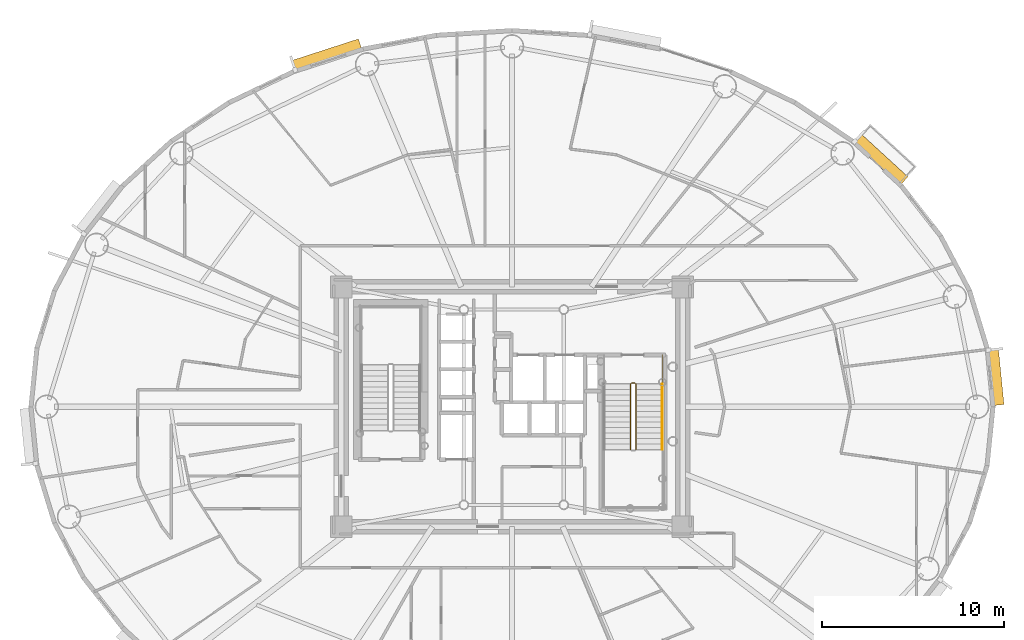
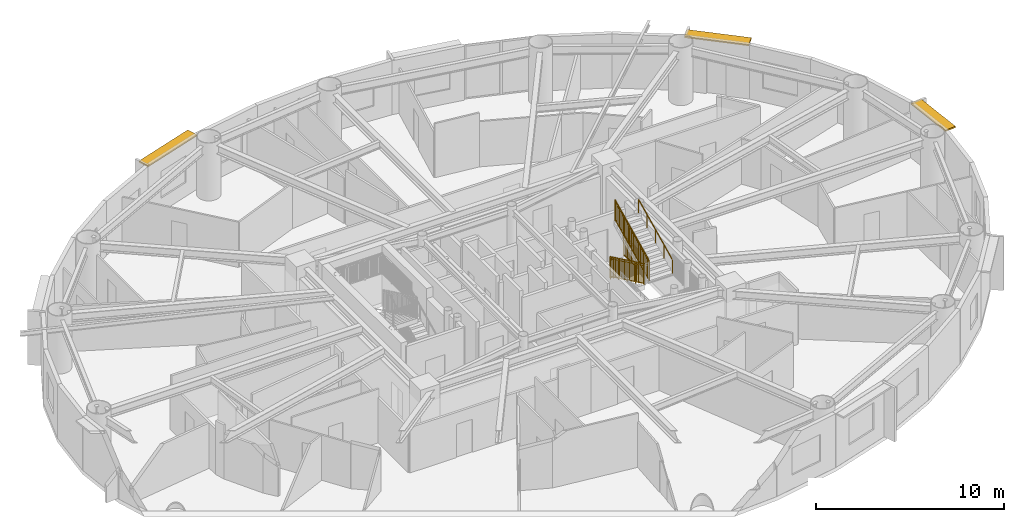
# One storey, part 17 of 18: 5 railings, 3 shading devices.
"""IFC4 building model written with IfcOpenShell, lengths in metres."""

from ifc_helpers import new_model, si_unit, direction, frame, origin, origin_2d, place, context, subcontext, project, spatial, rectangle, extrude, source, transform, mapped, material, layer, layer_set, type_object, element, save


model = new_model("IFC4")

# Units and contexts
model_context = context("Model", 3, precision=1e-05, world=origin(), true_north=direction((0.0, 1.0)))
body_context = subcontext(model_context, "Body", "Model", "MODEL_VIEW")
ifc_project = project(units=[si_unit("LENGTHUNIT", "METRE"), si_unit("AREAUNIT", "SQUARE_METRE"), si_unit("VOLUMEUNIT", "CUBIC_METRE"), si_unit("PLANEANGLEUNIT", "RADIAN"), si_unit("MASSUNIT", "GRAM", prefix="KILO")], contexts=[model_context])

# Site, building, storey
site_placement = place(None, origin())
site = spatial("IfcSite", under=ifc_project, at=site_placement, CompositionType="ELEMENT")
building_placement = place(site_placement, origin())
building = spatial("IfcBuilding", under=site, at=building_placement, Name="Linh Dai School and Residence Tower", CompositionType="ELEMENT")
storey_placement = place(building_placement, frame((0.0, 0.0, 159.89990234375)))
storey = spatial("IfcBuildingStorey", under=building, at=storey_placement, Name="L38", CompositionType="ELEMENT", Elevation=159.89990234375)

# Shading devices
ifc_material_1 = material(Name="Terracotta Ceramic Sunshade", Category="masonry")
ifc_layer = layer(ifc_material_1, 0.10009765625)
ifc_layer_set = layer_set([ifc_layer], Name="Terracotta Ceramic Sunshade")
shading_device_type = type_object("IfcShadingDeviceType", Name="SHD-TC-650", PredefinedType="USERDEFINED", material=ifc_layer_set)
shared_shape_1 = source(origin(), body_context, "Body", "SweptSolid", [
    extrude(rectangle(XDim=3.1201171875, YDim=0.64990234375, at=origin_2d()), origin(), (0.0, 0.0, 1.0), 0.10009765625),
])
shading_device_1_placement = place(storey_placement, frame((62.59619140625, 28.645263671875, 3.380126953125), z_axis=(0.0, 0.0, 1.0), x_axis=(0.100001796141, -0.994987256586, 0.0)))
element("IfcShadingDevice", 1, at=shading_device_1_placement, inside=storey, type_object=shading_device_type, Name="L38 Terracotta Horizontal Sunshade Band 01", ObjectType="SUNSHADE", PredefinedType="USERDEFINED", context=body_context, shape_type="MappedRepresentation", body=[
    mapped(shared_shape_1, transform((0.0, 0.0, 0.0), x_axis=(1.0, 0.0, 0.0), y_axis=(0.0, 1.0, 0.0), z_axis=(0.0, 0.0, 1.0), scale=1.0)),
])
shared_shape_2 = source(origin(), body_context, "Body", "SweptSolid", [
    extrude(rectangle(XDim=3.51171875, YDim=0.64990234375, at=origin_2d()), origin(), (0.0, 0.0, 1.0), 0.10009765625),
])
shading_device_2_placement = place(storey_placement, frame((56.272705078125, 40.604736328125, 3.380126953125), z_axis=(0.0, 0.0, 1.0), x_axis=(0.737085029426, -0.67580001435, 0.0)))
element("IfcShadingDevice", 2, at=shading_device_2_placement, inside=storey, type_object=shading_device_type, Name="L38 Terracotta Horizontal Sunshade Band 05", ObjectType="SUNSHADE", PredefinedType="USERDEFINED", context=body_context, shape_type="MappedRepresentation", body=[
    mapped(shared_shape_2, transform((0.0, 0.0, 0.0), x_axis=(1.0, 0.0, 0.0), y_axis=(0.0, 1.0, 0.0), z_axis=(0.0, 0.0, 1.0), scale=1.0)),
])
shared_shape_3 = source(origin(), body_context, "Body", "SweptSolid", [
    extrude(rectangle(XDim=3.876220703125, YDim=0.64990234375, at=origin_2d()), origin(), (0.0, 0.0, 1.0), 0.10009765625),
])
shading_device_3_placement = place(storey_placement, frame((25.802734375, 46.337646484375, 3.380126953125), z_axis=(0.0, 0.0, 1.0), x_axis=(0.951212761419, 0.308535707031, 0.0)))
element("IfcShadingDevice", 3, at=shading_device_3_placement, inside=storey, type_object=shading_device_type, Name="L38 Terracotta Horizontal Sunshade Band 13", ObjectType="SUNSHADE", PredefinedType="USERDEFINED", context=body_context, shape_type="MappedRepresentation", body=[
    mapped(shared_shape_3, transform((0.0, 0.0, 0.0), x_axis=(1.0, 0.0, 0.0), y_axis=(0.0, 1.0, 0.0), z_axis=(0.0, 0.0, 1.0), scale=1.0)),
])

# Railings
ifc_material_2 = material(Name="Structural Steel S355JR", Category="steel")
railing_type_1 = type_object("IfcRailingType", Name="RL-ST-GUARD-1400", PredefinedType="GUARDRAIL", material=ifc_material_2)
shared_shape_4 = source(origin(), body_context, "Body", "SweptSolid", [
    extrude(rectangle(XDim=0.048095703125, YDim=0.048095703125, at=origin_2d()), frame((0.0, 0.0, 1.3759765625), z_axis=(0.0, 0.901262522062, 0.433273431364), x_axis=(-1.0, 0.0, 0.0)), (0.0, 0.0, 1.0), 3.994384765625),
    extrude(rectangle(XDim=0.048095703125, YDim=0.048095703125, at=origin_2d()), frame((0.0, 0.0, 0.10009765625), z_axis=(0.0, 0.901262522062, 0.433273431364), x_axis=(-1.0, 0.0, 0.0)), (0.0, 0.0, 1.0), 3.994384765625),
    extrude(rectangle(XDim=0.030029296875, YDim=0.030029296875, at=origin_2d()), frame((0.0, 0.0, 1.239990234375), z_axis=(0.0, 0.901262522062, 0.433273431364), x_axis=(-1.0, 0.0, 0.0)), (0.0, 0.0, 1.0), 3.994384765625),
    extrude(rectangle(XDim=0.02001953125, YDim=0.02001953125, at=origin_2d()), frame((0.0, 0.087890625, 0.142333984375)), (0.0, 0.0, 1.0), 1.251708984375),
    extrude(rectangle(XDim=0.02001953125, YDim=0.02001953125, at=origin_2d()), frame((0.0, 0.175537109375, 0.1845703125)), (0.0, 0.0, 1.0), 1.251708984375),
    extrude(rectangle(XDim=0.02001953125, YDim=0.02001953125, at=origin_2d()), frame((0.0, 0.263427734375, 0.226806640625)), (0.0, 0.0, 1.0), 1.251708984375),
    extrude(rectangle(XDim=0.02001953125, YDim=0.02001953125, at=origin_2d()), frame((0.0, 0.351318359375, 0.26904296875)), (0.0, 0.0, 1.0), 1.251708984375),
    extrude(rectangle(XDim=0.02001953125, YDim=0.02001953125, at=origin_2d()), frame((0.0, 0.43896484375, 0.311279296875)), (0.0, 0.0, 1.0), 1.251708984375),
    extrude(rectangle(XDim=0.02001953125, YDim=0.02001953125, at=origin_2d()), frame((0.0, 0.52685546875, 0.353271484375)), (0.0, 0.0, 1.0), 1.251708984375),
    extrude(rectangle(XDim=0.02001953125, YDim=0.02001953125, at=origin_2d()), frame((0.0, 0.61474609375, 0.3955078125)), (0.0, 0.0, 1.0), 1.251708984375),
    extrude(rectangle(XDim=0.02001953125, YDim=0.02001953125, at=origin_2d()), frame((0.0, 0.702392578125, 0.437744140625)), (0.0, 0.0, 1.0), 1.251708984375),
    extrude(rectangle(XDim=0.02001953125, YDim=0.02001953125, at=origin_2d()), frame((0.0, 0.790283203125, 0.47998046875)), (0.0, 0.0, 1.0), 1.251708984375),
    extrude(rectangle(XDim=0.02001953125, YDim=0.02001953125, at=origin_2d()), frame((0.0, 0.9658203125, 0.564453125)), (0.0, 0.0, 1.0), 1.251708984375),
    extrude(rectangle(XDim=0.02001953125, YDim=0.02001953125, at=origin_2d()), frame((0.0, 1.0537109375, 0.606689453125)), (0.0, 0.0, 1.0), 1.251708984375),
    extrude(rectangle(XDim=0.02001953125, YDim=0.02001953125, at=origin_2d()), frame((0.0, 1.1416015625, 0.64892578125)), (0.0, 0.0, 1.0), 1.251708984375),
    extrude(rectangle(XDim=0.02001953125, YDim=0.02001953125, at=origin_2d()), frame((0.0, 1.229248046875, 0.691162109375)), (0.0, 0.0, 1.0), 1.251708984375),
    extrude(rectangle(XDim=0.02001953125, YDim=0.02001953125, at=origin_2d()), frame((0.0, 1.317138671875, 0.7333984375)), (0.0, 0.0, 1.0), 1.251708984375),
    extrude(rectangle(XDim=0.02001953125, YDim=0.02001953125, at=origin_2d()), frame((0.0, 1.405029296875, 0.775390625)), (0.0, 0.0, 1.0), 1.251708984375),
    extrude(rectangle(XDim=0.02001953125, YDim=0.02001953125, at=origin_2d()), frame((0.0, 1.49267578125, 0.817626953125)), (0.0, 0.0, 1.0), 1.251708984375),
    extrude(rectangle(XDim=0.02001953125, YDim=0.02001953125, at=origin_2d()), frame((0.0, 1.58056640625, 0.85986328125)), (0.0, 0.0, 1.0), 1.251708984375),
    extrude(rectangle(XDim=0.02001953125, YDim=0.02001953125, at=origin_2d()), frame((0.0, 1.66845703125, 0.902099609375)), (0.0, 0.0, 1.0), 1.251708984375),
    extrude(rectangle(XDim=0.02001953125, YDim=0.02001953125, at=origin_2d()), frame((0.0, 1.756103515625, 0.9443359375)), (0.0, 0.0, 1.0), 1.251708984375),
    extrude(rectangle(XDim=0.02001953125, YDim=0.02001953125, at=origin_2d()), frame((0.0, 1.843994140625, 0.986572265625)), (0.0, 0.0, 1.0), 1.251708984375),
    extrude(rectangle(XDim=0.02001953125, YDim=0.02001953125, at=origin_2d()), frame((0.0, 1.931640625, 1.02880859375)), (0.0, 0.0, 1.0), 1.251708984375),
    extrude(rectangle(XDim=0.02001953125, YDim=0.02001953125, at=origin_2d()), frame((0.0, 2.01953125, 1.071044921875)), (0.0, 0.0, 1.0), 1.251708984375),
    extrude(rectangle(XDim=0.02001953125, YDim=0.02001953125, at=origin_2d()), frame((0.0, 2.107421875, 1.11328125)), (0.0, 0.0, 1.0), 1.251708984375),
    extrude(rectangle(XDim=0.02001953125, YDim=0.02001953125, at=origin_2d()), frame((0.0, 2.195068359375, 1.155517578125)), (0.0, 0.0, 1.0), 1.251708984375),
    extrude(rectangle(XDim=0.02001953125, YDim=0.02001953125, at=origin_2d()), frame((0.0, 2.282958984375, 1.197509765625)), (0.0, 0.0, 1.0), 1.251708984375),
    extrude(rectangle(XDim=0.02001953125, YDim=0.02001953125, at=origin_2d()), frame((0.0, 2.370849609375, 1.23974609375)), (0.0, 0.0, 1.0), 1.251708984375),
    extrude(rectangle(XDim=0.02001953125, YDim=0.02001953125, at=origin_2d()), frame((0.0, 2.45849609375, 1.281982421875)), (0.0, 0.0, 1.0), 1.251708984375),
    extrude(rectangle(XDim=0.02001953125, YDim=0.02001953125, at=origin_2d()), frame((0.0, 2.54638671875, 1.32421875)), (0.0, 0.0, 1.0), 1.251708984375),
    extrude(rectangle(XDim=0.02001953125, YDim=0.02001953125, at=origin_2d()), frame((0.0, 2.63427734375, 1.366455078125)), (0.0, 0.0, 1.0), 1.251708984375),
    extrude(rectangle(XDim=0.02001953125, YDim=0.02001953125, at=origin_2d()), frame((0.0, 2.809814453125, 1.450927734375)), (0.0, 0.0, 1.0), 1.251708984375),
    extrude(rectangle(XDim=0.02001953125, YDim=0.02001953125, at=origin_2d()), frame((0.0, 2.897705078125, 1.4931640625)), (0.0, 0.0, 1.0), 1.251708984375),
    extrude(rectangle(XDim=0.02001953125, YDim=0.02001953125, at=origin_2d()), frame((0.0, 2.9853515625, 1.535400390625)), (0.0, 0.0, 1.0), 1.251708984375),
    extrude(rectangle(XDim=0.02001953125, YDim=0.02001953125, at=origin_2d()), frame((0.0, 3.0732421875, 1.57763671875)), (0.0, 0.0, 1.0), 1.251708984375),
    extrude(rectangle(XDim=0.02001953125, YDim=0.02001953125, at=origin_2d()), frame((0.0, 3.1611328125, 1.61962890625)), (0.0, 0.0, 1.0), 1.251708984375),
    extrude(rectangle(XDim=0.02001953125, YDim=0.02001953125, at=origin_2d()), frame((0.0, 3.248779296875, 1.661865234375)), (0.0, 0.0, 1.0), 1.251708984375),
    extrude(rectangle(XDim=0.02001953125, YDim=0.02001953125, at=origin_2d()), frame((0.0, 3.336669921875, 1.7041015625)), (0.0, 0.0, 1.0), 1.251708984375),
    extrude(rectangle(XDim=0.02001953125, YDim=0.02001953125, at=origin_2d()), frame((0.0, 3.424560546875, 1.746337890625)), (0.0, 0.0, 1.0), 1.251708984375),
    extrude(rectangle(XDim=0.02001953125, YDim=0.02001953125, at=origin_2d()), frame((0.0, 3.51220703125, 1.78857421875)), (0.0, 0.0, 1.0), 1.251708984375),
    extrude(rectangle(XDim=0.0419921875, YDim=0.0419921875, at=origin_2d()), origin(), (0.0, 0.0, 1.0), 1.3759765625),
    extrude(rectangle(XDim=0.0419921875, YDim=0.0419921875, at=origin_2d()), frame((0.0, 0.89990234375, 0.4326171875)), (0.0, 0.0, 1.0), 1.3759765625),
    extrude(rectangle(XDim=0.0419921875, YDim=0.0419921875, at=origin_2d()), frame((0.0, 1.800048828125, 0.865234375)), (0.0, 0.0, 1.0), 1.3759765625),
    extrude(rectangle(XDim=0.0419921875, YDim=0.0419921875, at=origin_2d()), frame((0.0, 2.7001953125, 1.298095703125)), (0.0, 0.0, 1.0), 1.3759765625),
    extrude(rectangle(XDim=0.0419921875, YDim=0.0419921875, at=origin_2d()), frame((0.0, 3.60009765625, 1.730712890625)), (0.0, 0.0, 1.0), 1.3759765625),
])
railing_1_placement = place(storey_placement, frame((42.820068359375, 24.64990234375, 2.019287109375)))
element("IfcRailing", 4, at=railing_1_placement, inside=storey, type_object=railing_type_1, Name="L38 ST2 stair guard 6", PredefinedType="GUARDRAIL", context=body_context, shape_type="MappedRepresentation", body=[
    mapped(shared_shape_4, transform((0.0, 0.0, 0.0), x_axis=(1.0, 0.0, 0.0), y_axis=(0.0, 1.0, 0.0), z_axis=(0.0, 0.0, 1.0), scale=1.0)),
])
shared_shape_5 = source(origin(), body_context, "Body", "SweptSolid", [
    extrude(rectangle(XDim=0.048095703125, YDim=0.048095703125, at=origin_2d()), frame((0.0, 0.0, 1.3759765625), z_axis=(0.0, -0.901262522062, 0.433273431364), x_axis=(1.0, 0.0, 0.0)), (0.0, 0.0, 1.0), 3.994384765625),
    extrude(rectangle(XDim=0.048095703125, YDim=0.048095703125, at=origin_2d()), frame((0.0, 0.0, 0.10009765625), z_axis=(0.0, -0.901262522062, 0.433273431364), x_axis=(1.0, 0.0, 0.0)), (0.0, 0.0, 1.0), 3.994384765625),
    extrude(rectangle(XDim=0.030029296875, YDim=0.030029296875, at=origin_2d()), frame((0.0, 0.0, 1.239990234375), z_axis=(0.0, -0.901262522062, 0.433273431364), x_axis=(1.0, 0.0, 0.0)), (0.0, 0.0, 1.0), 3.994384765625),
    extrude(rectangle(XDim=0.02001953125, YDim=0.02001953125, at=origin_2d()), frame((0.0, -0.087890625, 0.142333984375)), (0.0, 0.0, 1.0), 1.251708984375),
    extrude(rectangle(XDim=0.02001953125, YDim=0.02001953125, at=origin_2d()), frame((0.0, -0.175537109375, 0.1845703125)), (0.0, 0.0, 1.0), 1.251708984375),
    extrude(rectangle(XDim=0.02001953125, YDim=0.02001953125, at=origin_2d()), frame((0.0, -0.263427734375, 0.226806640625)), (0.0, 0.0, 1.0), 1.251708984375),
    extrude(rectangle(XDim=0.02001953125, YDim=0.02001953125, at=origin_2d()), frame((0.0, -0.351318359375, 0.26904296875)), (0.0, 0.0, 1.0), 1.251708984375),
    extrude(rectangle(XDim=0.02001953125, YDim=0.02001953125, at=origin_2d()), frame((0.0, -0.43896484375, 0.311279296875)), (0.0, 0.0, 1.0), 1.251708984375),
    extrude(rectangle(XDim=0.02001953125, YDim=0.02001953125, at=origin_2d()), frame((0.0, -0.52685546875, 0.353271484375)), (0.0, 0.0, 1.0), 1.251708984375),
    extrude(rectangle(XDim=0.02001953125, YDim=0.02001953125, at=origin_2d()), frame((0.0, -0.61474609375, 0.3955078125)), (0.0, 0.0, 1.0), 1.251708984375),
    extrude(rectangle(XDim=0.02001953125, YDim=0.02001953125, at=origin_2d()), frame((0.0, -0.702392578125, 0.437744140625)), (0.0, 0.0, 1.0), 1.251708984375),
    extrude(rectangle(XDim=0.02001953125, YDim=0.02001953125, at=origin_2d()), frame((0.0, -0.790283203125, 0.47998046875)), (0.0, 0.0, 1.0), 1.251708984375),
    extrude(rectangle(XDim=0.02001953125, YDim=0.02001953125, at=origin_2d()), frame((0.0, -0.9658203125, 0.564453125)), (0.0, 0.0, 1.0), 1.251708984375),
    extrude(rectangle(XDim=0.02001953125, YDim=0.02001953125, at=origin_2d()), frame((0.0, -1.0537109375, 0.606689453125)), (0.0, 0.0, 1.0), 1.251708984375),
    extrude(rectangle(XDim=0.02001953125, YDim=0.02001953125, at=origin_2d()), frame((0.0, -1.1416015625, 0.64892578125)), (0.0, 0.0, 1.0), 1.251708984375),
    extrude(rectangle(XDim=0.02001953125, YDim=0.02001953125, at=origin_2d()), frame((0.0, -1.229248046875, 0.691162109375)), (0.0, 0.0, 1.0), 1.251708984375),
    extrude(rectangle(XDim=0.02001953125, YDim=0.02001953125, at=origin_2d()), frame((0.0, -1.317138671875, 0.7333984375)), (0.0, 0.0, 1.0), 1.251708984375),
    extrude(rectangle(XDim=0.02001953125, YDim=0.02001953125, at=origin_2d()), frame((0.0, -1.405029296875, 0.775390625)), (0.0, 0.0, 1.0), 1.251708984375),
    extrude(rectangle(XDim=0.02001953125, YDim=0.02001953125, at=origin_2d()), frame((0.0, -1.49267578125, 0.817626953125)), (0.0, 0.0, 1.0), 1.251708984375),
    extrude(rectangle(XDim=0.02001953125, YDim=0.02001953125, at=origin_2d()), frame((0.0, -1.58056640625, 0.85986328125)), (0.0, 0.0, 1.0), 1.251708984375),
    extrude(rectangle(XDim=0.02001953125, YDim=0.02001953125, at=origin_2d()), frame((0.0, -1.66845703125, 0.902099609375)), (0.0, 0.0, 1.0), 1.251708984375),
    extrude(rectangle(XDim=0.02001953125, YDim=0.02001953125, at=origin_2d()), frame((0.0, -1.756103515625, 0.9443359375)), (0.0, 0.0, 1.0), 1.251708984375),
    extrude(rectangle(XDim=0.02001953125, YDim=0.02001953125, at=origin_2d()), frame((0.0, -1.843994140625, 0.986572265625)), (0.0, 0.0, 1.0), 1.251708984375),
    extrude(rectangle(XDim=0.02001953125, YDim=0.02001953125, at=origin_2d()), frame((0.0, -1.931640625, 1.02880859375)), (0.0, 0.0, 1.0), 1.251708984375),
    extrude(rectangle(XDim=0.02001953125, YDim=0.02001953125, at=origin_2d()), frame((0.0, -2.01953125, 1.071044921875)), (0.0, 0.0, 1.0), 1.251708984375),
    extrude(rectangle(XDim=0.02001953125, YDim=0.02001953125, at=origin_2d()), frame((0.0, -2.107421875, 1.11328125)), (0.0, 0.0, 1.0), 1.251708984375),
    extrude(rectangle(XDim=0.02001953125, YDim=0.02001953125, at=origin_2d()), frame((0.0, -2.195068359375, 1.155517578125)), (0.0, 0.0, 1.0), 1.251708984375),
    extrude(rectangle(XDim=0.02001953125, YDim=0.02001953125, at=origin_2d()), frame((0.0, -2.282958984375, 1.197509765625)), (0.0, 0.0, 1.0), 1.251708984375),
    extrude(rectangle(XDim=0.02001953125, YDim=0.02001953125, at=origin_2d()), frame((0.0, -2.370849609375, 1.23974609375)), (0.0, 0.0, 1.0), 1.251708984375),
    extrude(rectangle(XDim=0.02001953125, YDim=0.02001953125, at=origin_2d()), frame((0.0, -2.45849609375, 1.281982421875)), (0.0, 0.0, 1.0), 1.251708984375),
    extrude(rectangle(XDim=0.02001953125, YDim=0.02001953125, at=origin_2d()), frame((0.0, -2.54638671875, 1.32421875)), (0.0, 0.0, 1.0), 1.251708984375),
    extrude(rectangle(XDim=0.02001953125, YDim=0.02001953125, at=origin_2d()), frame((0.0, -2.63427734375, 1.366455078125)), (0.0, 0.0, 1.0), 1.251708984375),
    extrude(rectangle(XDim=0.02001953125, YDim=0.02001953125, at=origin_2d()), frame((0.0, -2.809814453125, 1.450927734375)), (0.0, 0.0, 1.0), 1.251708984375),
    extrude(rectangle(XDim=0.02001953125, YDim=0.02001953125, at=origin_2d()), frame((0.0, -2.897705078125, 1.4931640625)), (0.0, 0.0, 1.0), 1.251708984375),
    extrude(rectangle(XDim=0.02001953125, YDim=0.02001953125, at=origin_2d()), frame((0.0, -2.9853515625, 1.535400390625)), (0.0, 0.0, 1.0), 1.251708984375),
    extrude(rectangle(XDim=0.02001953125, YDim=0.02001953125, at=origin_2d()), frame((0.0, -3.0732421875, 1.57763671875)), (0.0, 0.0, 1.0), 1.251708984375),
    extrude(rectangle(XDim=0.02001953125, YDim=0.02001953125, at=origin_2d()), frame((0.0, -3.1611328125, 1.61962890625)), (0.0, 0.0, 1.0), 1.251708984375),
    extrude(rectangle(XDim=0.02001953125, YDim=0.02001953125, at=origin_2d()), frame((0.0, -3.248779296875, 1.661865234375)), (0.0, 0.0, 1.0), 1.251708984375),
    extrude(rectangle(XDim=0.02001953125, YDim=0.02001953125, at=origin_2d()), frame((0.0, -3.336669921875, 1.7041015625)), (0.0, 0.0, 1.0), 1.251708984375),
    extrude(rectangle(XDim=0.02001953125, YDim=0.02001953125, at=origin_2d()), frame((0.0, -3.424560546875, 1.746337890625)), (0.0, 0.0, 1.0), 1.251708984375),
    extrude(rectangle(XDim=0.02001953125, YDim=0.02001953125, at=origin_2d()), frame((0.0, -3.51220703125, 1.78857421875)), (0.0, 0.0, 1.0), 1.251708984375),
    extrude(rectangle(XDim=0.0419921875, YDim=0.0419921875, at=origin_2d()), origin(), (0.0, 0.0, 1.0), 1.3759765625),
    extrude(rectangle(XDim=0.0419921875, YDim=0.0419921875, at=origin_2d()), frame((0.0, -0.89990234375, 0.4326171875)), (0.0, 0.0, 1.0), 1.3759765625),
    extrude(rectangle(XDim=0.0419921875, YDim=0.0419921875, at=origin_2d()), frame((0.0, -1.800048828125, 0.865234375)), (0.0, 0.0, 1.0), 1.3759765625),
    extrude(rectangle(XDim=0.0419921875, YDim=0.0419921875, at=origin_2d()), frame((0.0, -2.7001953125, 1.298095703125)), (0.0, 0.0, 1.0), 1.3759765625),
    extrude(rectangle(XDim=0.0419921875, YDim=0.0419921875, at=origin_2d()), frame((0.0, -3.60009765625, 1.730712890625)), (0.0, 0.0, 1.0), 1.3759765625),
])
railing_2_placement = place(storey_placement, frame((42.52001953125, 28.25, 0.144287109375)))
element("IfcRailing", 5, at=railing_2_placement, inside=storey, type_object=railing_type_1, Name="L38 ST2 stair guard 1", PredefinedType="GUARDRAIL", context=body_context, shape_type="MappedRepresentation", body=[
    mapped(shared_shape_5, transform((0.0, 0.0, 0.0), x_axis=(1.0, 0.0, 0.0), y_axis=(0.0, 1.0, 0.0), z_axis=(0.0, 0.0, 1.0), scale=1.0)),
])
ifc_material_3 = material(Name="Brushed Stainless Steel Handrail", Category="steel")
railing_type_2 = type_object("IfcRailingType", Name="RL-ST-HANDRAIL-900", PredefinedType="HANDRAIL", material=ifc_material_3)
shared_shape_6 = source(origin(), body_context, "Body", "SweptSolid", [
    extrude(rectangle(XDim=0.048095703125, YDim=0.048095703125, at=origin_2d()), frame((0.0, 0.0, 0.8759765625), z_axis=(0.0, 0.901262522062, 0.433273431364), x_axis=(-1.0, 0.0, 0.0)), (0.0, 0.0, 1.0), 3.994384765625),
    extrude(rectangle(XDim=0.0419921875, YDim=0.0419921875, at=origin_2d()), origin(), (0.0, 0.0, 1.0), 0.8759765625),
    extrude(rectangle(XDim=0.0419921875, YDim=0.0419921875, at=origin_2d()), frame((0.0, 0.89990234375, 0.4326171875)), (0.0, 0.0, 1.0), 0.8759765625),
    extrude(rectangle(XDim=0.0419921875, YDim=0.0419921875, at=origin_2d()), frame((0.0, 1.800048828125, 0.865234375)), (0.0, 0.0, 1.0), 0.8759765625),
    extrude(rectangle(XDim=0.0419921875, YDim=0.0419921875, at=origin_2d()), frame((0.0, 2.7001953125, 1.298095703125)), (0.0, 0.0, 1.0), 0.8759765625),
    extrude(rectangle(XDim=0.0419921875, YDim=0.0419921875, at=origin_2d()), frame((0.0, 3.60009765625, 1.730712890625)), (0.0, 0.0, 1.0), 0.8759765625),
])
railing_3_placement = place(storey_placement, frame((44.27001953125, 24.64990234375, 2.019287109375)))
element("IfcRailing", 6, at=railing_3_placement, inside=storey, type_object=railing_type_2, Name="L38 ST2 stair handrail 2", PredefinedType="HANDRAIL", context=body_context, shape_type="MappedRepresentation", body=[
    mapped(shared_shape_6, transform((0.0, 0.0, 0.0), x_axis=(1.0, 0.0, 0.0), y_axis=(0.0, 1.0, 0.0), z_axis=(0.0, 0.0, 1.0), scale=1.0)),
])
shared_shape_7 = source(origin(), body_context, "Body", "SweptSolid", [
    extrude(rectangle(XDim=0.048095703125, YDim=0.048095703125, at=origin_2d()), frame((0.0, 0.0, 1.3759765625), z_axis=(1.0, 0.0, 0.0), x_axis=(0.0, 1.0, 0.0)), (0.0, 0.0, 1.0), 0.199951171875),
    extrude(rectangle(XDim=0.048095703125, YDim=0.048095703125, at=origin_2d()), frame((0.0, 0.0, 0.10009765625), z_axis=(1.0, 0.0, 0.0), x_axis=(0.0, 1.0, 0.0)), (0.0, 0.0, 1.0), 0.199951171875),
    extrude(rectangle(XDim=0.030029296875, YDim=0.030029296875, at=origin_2d()), frame((0.0, 0.0, 1.239990234375), z_axis=(1.0, 0.0, 0.0), x_axis=(0.0, 1.0, 0.0)), (0.0, 0.0, 1.0), 0.199951171875),
    extrude(rectangle(XDim=0.0419921875, YDim=0.0419921875, at=origin_2d()), origin(), (0.0, 0.0, 1.0), 1.3759765625),
    extrude(rectangle(XDim=0.0419921875, YDim=0.0419921875, at=origin_2d()), frame((0.199951171875, 0.0, 0.0)), (0.0, 0.0, 1.0), 1.3759765625),
])
railing_4_placement = place(storey_placement, frame((42.570068359375, 28.300048828125, 0.0)))
element("IfcRailing", 7, at=railing_4_placement, inside=storey, type_object=railing_type_1, Name="L38 ST2 stair guard 7", PredefinedType="GUARDRAIL", context=body_context, shape_type="MappedRepresentation", body=[
    mapped(shared_shape_7, transform((0.0, 0.0, 0.0), x_axis=(1.0, 0.0, 0.0), y_axis=(0.0, 1.0, 0.0), z_axis=(0.0, 0.0, 1.0), scale=1.0)),
])
shared_shape_8 = source(origin(), body_context, "Body", "SweptSolid", [
    extrude(rectangle(XDim=0.048095703125, YDim=0.048095703125, at=origin_2d()), frame((0.0, 0.0, 1.3759765625), z_axis=(0.0, -1.0, 0.0), x_axis=(1.0, 0.0, 0.0)), (0.0, 0.0, 1.0), 1.60009765625),
    extrude(rectangle(XDim=0.048095703125, YDim=0.048095703125, at=origin_2d()), frame((0.0, 0.0, 0.10009765625), z_axis=(0.0, -1.0, 0.0), x_axis=(1.0, 0.0, 0.0)), (0.0, 0.0, 1.0), 1.60009765625),
    extrude(rectangle(XDim=0.030029296875, YDim=0.030029296875, at=origin_2d()), frame((0.0, 0.0, 1.239990234375), z_axis=(0.0, -1.0, 0.0), x_axis=(1.0, 0.0, 0.0)), (0.0, 0.0, 1.0), 1.60009765625),
    extrude(rectangle(XDim=0.02001953125, YDim=0.02001953125, at=origin_2d()), frame((0.0, -0.09423828125, 0.10009765625)), (0.0, 0.0, 1.0), 1.251708984375),
    extrude(rectangle(XDim=0.02001953125, YDim=0.02001953125, at=origin_2d()), frame((0.0, -0.188232421875, 0.10009765625)), (0.0, 0.0, 1.0), 1.251708984375),
    extrude(rectangle(XDim=0.02001953125, YDim=0.02001953125, at=origin_2d()), frame((0.0, -0.282470703125, 0.10009765625)), (0.0, 0.0, 1.0), 1.251708984375),
    extrude(rectangle(XDim=0.02001953125, YDim=0.02001953125, at=origin_2d()), frame((0.0, -0.37646484375, 0.10009765625)), (0.0, 0.0, 1.0), 1.251708984375),
    extrude(rectangle(XDim=0.02001953125, YDim=0.02001953125, at=origin_2d()), frame((0.0, -0.470703125, 0.10009765625)), (0.0, 0.0, 1.0), 1.251708984375),
    extrude(rectangle(XDim=0.02001953125, YDim=0.02001953125, at=origin_2d()), frame((0.0, -0.564697265625, 0.10009765625)), (0.0, 0.0, 1.0), 1.251708984375),
    extrude(rectangle(XDim=0.02001953125, YDim=0.02001953125, at=origin_2d()), frame((0.0, -0.658935546875, 0.10009765625)), (0.0, 0.0, 1.0), 1.251708984375),
    extrude(rectangle(XDim=0.02001953125, YDim=0.02001953125, at=origin_2d()), frame((0.0, -0.7529296875, 0.10009765625)), (0.0, 0.0, 1.0), 1.251708984375),
    extrude(rectangle(XDim=0.02001953125, YDim=0.02001953125, at=origin_2d()), frame((0.0, -0.84716796875, 0.10009765625)), (0.0, 0.0, 1.0), 1.251708984375),
    extrude(rectangle(XDim=0.02001953125, YDim=0.02001953125, at=origin_2d()), frame((0.0, -0.941162109375, 0.10009765625)), (0.0, 0.0, 1.0), 1.251708984375),
    extrude(rectangle(XDim=0.02001953125, YDim=0.02001953125, at=origin_2d()), frame((0.0, -1.035400390625, 0.10009765625)), (0.0, 0.0, 1.0), 1.251708984375),
    extrude(rectangle(XDim=0.02001953125, YDim=0.02001953125, at=origin_2d()), frame((0.0, -1.12939453125, 0.10009765625)), (0.0, 0.0, 1.0), 1.251708984375),
    extrude(rectangle(XDim=0.02001953125, YDim=0.02001953125, at=origin_2d()), frame((0.0, -1.2236328125, 0.10009765625)), (0.0, 0.0, 1.0), 1.251708984375),
    extrude(rectangle(XDim=0.02001953125, YDim=0.02001953125, at=origin_2d()), frame((0.0, -1.317626953125, 0.10009765625)), (0.0, 0.0, 1.0), 1.251708984375),
    extrude(rectangle(XDim=0.02001953125, YDim=0.02001953125, at=origin_2d()), frame((0.0, -1.411865234375, 0.10009765625)), (0.0, 0.0, 1.0), 1.251708984375),
    extrude(rectangle(XDim=0.02001953125, YDim=0.02001953125, at=origin_2d()), frame((0.0, -1.505859375, 0.10009765625)), (0.0, 0.0, 1.0), 1.251708984375),
    extrude(rectangle(XDim=0.0419921875, YDim=0.0419921875, at=origin_2d()), origin(), (0.0, 0.0, 1.0), 1.3759765625),
    extrude(rectangle(XDim=0.0419921875, YDim=0.0419921875, at=origin_2d()), frame((0.0, -0.800048828125, 0.0)), (0.0, 0.0, 1.0), 1.3759765625),
    extrude(rectangle(XDim=0.0419921875, YDim=0.0419921875, at=origin_2d()), frame((0.0, -1.60009765625, 0.0)), (0.0, 0.0, 1.0), 1.3759765625),
])
railing_5_placement = place(storey_placement, frame((44.27001953125, 29.85009765625, 0.0)))
element("IfcRailing", 8, at=railing_5_placement, inside=storey, type_object=railing_type_1, Name="L38 ST2 stair guard 9", PredefinedType="GUARDRAIL", context=body_context, shape_type="MappedRepresentation", body=[
    mapped(shared_shape_8, transform((0.0, 0.0, 0.0), x_axis=(1.0, 0.0, 0.0), y_axis=(0.0, 1.0, 0.0), z_axis=(0.0, 0.0, 1.0), scale=1.0)),
])

save(model, "model.ifc")
